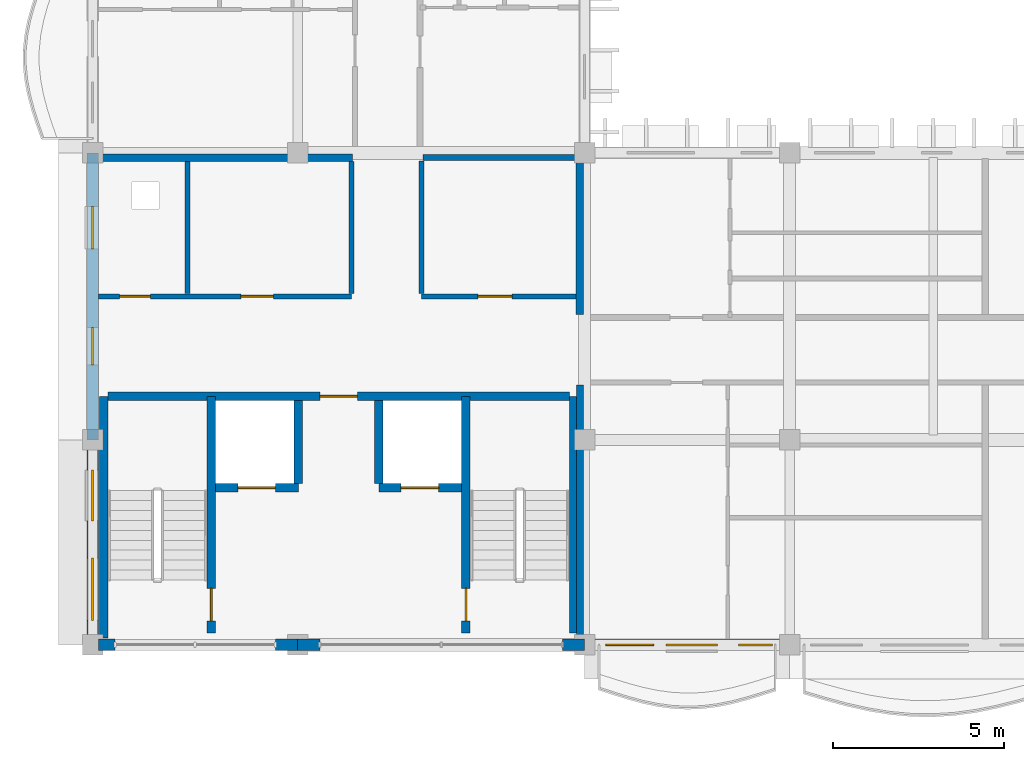
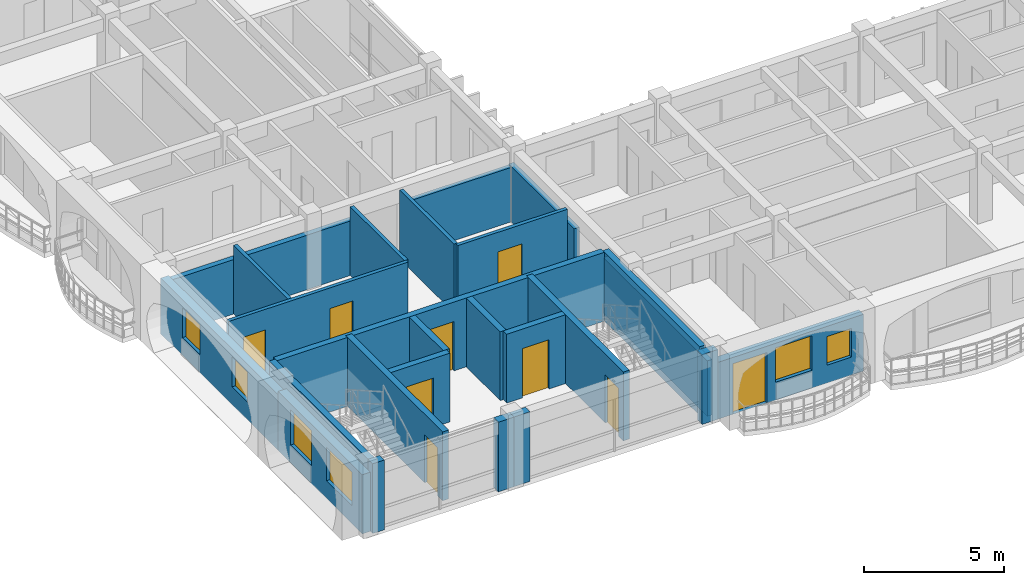
# One storey, part 25 of 79: 25 walls, 9 doors, 6 windows, 15 openings.
"""IFC4 building model written with IfcOpenShell, lengths in metres."""

from ifc_helpers import new_model, si_unit, direction, frame, frame_2d, origin, place, context, subcontext, project, spatial, rectangle, extrude, material, layer, layer_set, type_object, element, fill, save


model = new_model("IFC4")

# Units and contexts
model_context = context("Model", 3, precision=1e-05, world=origin(), true_north=direction((0.0, 1.0)))
body_context = subcontext(model_context, "Body", "Model", "MODEL_VIEW")
ifc_project = project(units=[si_unit("LENGTHUNIT", "METRE"), si_unit("AREAUNIT", "SQUARE_METRE"), si_unit("VOLUMEUNIT", "CUBIC_METRE"), si_unit("PLANEANGLEUNIT", "RADIAN"), si_unit("MASSUNIT", "GRAM", prefix="KILO"), si_unit("THERMODYNAMICTEMPERATUREUNIT", "KELVIN")], contexts=[model_context])

# Site, building, storey
site_placement = place(None, origin())
site = spatial("IfcSite", under=ifc_project, at=site_placement, CompositionType="ELEMENT")
building_placement = place(site_placement, origin())
building = spatial("IfcBuilding", under=site, at=building_placement, Name="Thalorik Housing Commons", CompositionType="ELEMENT")
storey_placement = place(building_placement, frame((0.0, 0.0, 11.39990234375)))
storey = spatial("IfcBuildingStorey", under=building, at=storey_placement, Name="L03", CompositionType="ELEMENT", Elevation=11.39990234375)

# Wall, opening, door
ifc_material_1 = material(Name="Concrete C40/50", Category="concrete")
ifc_layer_1 = layer(ifc_material_1, 0.25, Name="Concrete C40/50", Category="concrete")
ifc_layer_set_1 = layer_set([ifc_layer_1], Name="Concrete C40/50")
wall_type_1 = type_object("IfcWallType", Name="ARC-WAL-CORE-250", PredefinedType="SHEAR", material=ifc_layer_set_1)
wall_1_placement = place(storey_placement, frame((11.875, 8.75, 0.0), z_axis=(0.0, 0.0, 1.0), x_axis=(0.0, 1.0, 0.0)))
wall_1 = element("IfcWall", 1, at=wall_1_placement, inside=storey, type_object=wall_type_1, Name="L03 Core C Stair 1 Shear Wall", PredefinedType="SHEAR", context=body_context, shape_type="SweptSolid", body=[
    extrude(rectangle(XDim=6.925048828125, YDim=0.25, at=frame_2d((3.46240234375, 0.0))), origin(), (0.0, 0.0, 1.0), 3.0),
])
opening_1_placement = place(wall_1_placement, frame((0.35009765625, 0.0, 0.0)))
opening_1 = element("IfcOpeningElement", 2, at=opening_1_placement, cuts=wall_1, Name="Opening ID-0281", PredefinedType="OPENING", context=body_context, shape_type="SweptSolid", body=[
    extrude(rectangle(XDim=0.949951171875, YDim=2.10009765625, at=frame_2d((0.47509765625, 1.050048828125))), frame((0.0, 0.135009765625, 0.0), z_axis=(0.0, -1.0, 0.0), x_axis=(1.0, 0.0, 0.0)), (0.0, 0.0, 1.0), 0.27001953125),
])
ifc_material_2 = material(Name="Steel S355", Category="steel")
door_type_1 = type_object("IfcDoorType", Name="ARC-DR-FD60-950", OperationType="NOTDEFINED", PredefinedType="DOOR", material=ifc_material_2)
door_1_placement = place(opening_1_placement, origin())
door_1 = element("IfcDoor", 3, at=door_1_placement, inside=storey, type_object=door_type_1, Name="L03 Stair ST-C1 Fire Door", OperationType="SINGLE_SWING_RIGHT", OverallHeight=2.10009765625, OverallWidth=0.949951171875, PredefinedType="DOOR", context=body_context, shape_type="SweptSolid", body=[
    extrude(rectangle(XDim=0.949951171875, YDim=2.10009765625, at=frame_2d((0.47509765625, 1.050048828125))), frame((0.0, 0.02490234375, 0.0), z_axis=(0.0, -1.0, 0.0), x_axis=(1.0, 0.0, 0.0)), (0.0, 0.0, 1.0), 0.050048828125),
])
fill(opening_1, door_1)

# Walls
wall_2_placement = place(storey_placement, frame((8.72509765625, 8.60009765625, 0.0), z_axis=(0.0, 0.0, 1.0), x_axis=(0.0, 1.0, 0.0)))
element("IfcWall", 4, at=wall_2_placement, inside=storey, type_object=wall_type_1, Name="L03 Core C Stair 1 Outer Shear Wall", PredefinedType="SHEAR", context=body_context, shape_type="SweptSolid", body=[
    extrude(rectangle(XDim=7.074951171875, YDim=0.25, at=frame_2d((3.53759765625, 0.0))), origin(), (0.0, 0.0, 1.0), 3.0),
])
wall_3_placement = place(storey_placement, frame((22.47509765625, 8.75, 0.0), z_axis=(0.0, 0.0, 1.0), x_axis=(0.0, 1.0, 0.0)))
element("IfcWall", 5, at=wall_3_placement, inside=storey, type_object=wall_type_1, Name="L03 Core C Stair 2 Outer Shear Wall", PredefinedType="SHEAR", context=body_context, shape_type="SweptSolid", body=[
    extrude(rectangle(XDim=6.925048828125, YDim=0.25, at=frame_2d((3.46240234375, 0.0))), origin(), (0.0, 0.0, 1.0), 3.0),
])

# Wall, opening, door
wall_4_placement = place(storey_placement, frame((19.324951171875, 8.75, 0.0), z_axis=(0.0, 0.0, 1.0), x_axis=(0.0, 1.0, 0.0)))
wall_4 = element("IfcWall", 6, at=wall_4_placement, inside=storey, type_object=wall_type_1, Name="L03 Core C Stair 2 Shear Wall", PredefinedType="SHEAR", context=body_context, shape_type="SweptSolid", body=[
    extrude(rectangle(XDim=6.925048828125, YDim=0.25, at=frame_2d((3.46240234375, 0.0))), origin(), (0.0, 0.0, 1.0), 3.0),
])
opening_2_placement = place(wall_4_placement, frame((0.35009765625, 0.0, 0.0)))
opening_2 = element("IfcOpeningElement", 7, at=opening_2_placement, cuts=wall_4, Name="Opening ID-0282", PredefinedType="OPENING", context=body_context, shape_type="SweptSolid", body=[
    extrude(rectangle(XDim=0.949951171875, YDim=2.10009765625, at=frame_2d((0.47509765625, 1.050048828125))), frame((0.0, 0.135009765625, 0.0), z_axis=(0.0, -1.0, 0.0), x_axis=(1.0, 0.0, 0.0)), (0.0, 0.0, 1.0), 0.27001953125),
])
door_2_placement = place(opening_2_placement, origin())
door_2 = element("IfcDoor", 8, at=door_2_placement, inside=storey, type_object=door_type_1, Name="L03 Stair ST-C2 Fire Door", OperationType="SINGLE_SWING_LEFT", OverallHeight=2.10009765625, OverallWidth=0.949951171875, PredefinedType="DOOR", context=body_context, shape_type="SweptSolid", body=[
    extrude(rectangle(XDim=0.949951171875, YDim=2.10009765625, at=frame_2d((0.47509765625, 1.050048828125))), frame((0.0, 0.02490234375, 0.0), z_axis=(0.0, -1.0, 0.0), x_axis=(1.0, 0.0, 0.0)), (0.0, 0.0, 1.0), 0.050048828125),
])
fill(opening_2, door_2)

wall_5_placement = place(storey_placement, frame((12.0, 13.0, 0.0), z_axis=(0.0, 0.0, 1.0), x_axis=(1.0, 0.0, 0.0)))
wall_5 = element("IfcWall", 9, at=wall_5_placement, inside=storey, type_object=wall_type_1, Name="L03 Lift LF-C1 Front Shaft Wall", PredefinedType="SHEAR", context=body_context, shape_type="SweptSolid", body=[
    extrude(rectangle(XDim=2.425048828125, YDim=0.25, at=frame_2d((1.21240234375, 0.0))), origin(), (0.0, 0.0, 1.0), 3.0),
])
opening_3_placement = place(wall_5_placement, frame((0.64990234375, 0.0, 0.0)))
opening_3 = element("IfcOpeningElement", 10, at=opening_3_placement, cuts=wall_5, Name="Opening LD-LF-C1-L03", PredefinedType="OPENING", context=body_context, shape_type="SweptSolid", body=[
    extrude(rectangle(XDim=1.10009765625, YDim=2.14990234375, at=frame_2d((0.550048828125, 1.074951171875))), frame((0.0, 0.135009765625, 0.0), z_axis=(0.0, -1.0, 0.0), x_axis=(1.0, 0.0, 0.0)), (0.0, 0.0, 1.0), 0.27001953125),
])
door_type_2 = type_object("IfcDoorType", Name="ARC-DR-LIFT-1100", OperationType="NOTDEFINED", PredefinedType="DOOR", material=ifc_material_2)
door_3_placement = place(opening_3_placement, origin())
door_3 = element("IfcDoor", 11, at=door_3_placement, inside=storey, type_object=door_type_2, Name="L03 Lift LF-C1 Landing Door", OperationType="SLIDING_TO_LEFT", OverallHeight=2.14990234375, OverallWidth=1.10009765625, PredefinedType="DOOR", context=body_context, shape_type="SweptSolid", body=[
    extrude(rectangle(XDim=1.10009765625, YDim=2.14990234375, at=frame_2d((0.550048828125, 1.074951171875))), frame((0.0, 0.02490234375, 0.0), z_axis=(0.0, -1.0, 0.0), x_axis=(1.0, 0.0, 0.0)), (0.0, 0.0, 1.0), 0.050048828125),
])
fill(opening_3, door_3)

wall_6_placement = place(storey_placement, frame((16.77490234375, 13.0, 0.0), z_axis=(0.0, 0.0, 1.0), x_axis=(1.0, 0.0, 0.0)))
wall_6 = element("IfcWall", 12, at=wall_6_placement, inside=storey, type_object=wall_type_1, Name="L03 Lift LP-C2 Front Shaft Wall", PredefinedType="SHEAR", context=body_context, shape_type="SweptSolid", body=[
    extrude(rectangle(XDim=2.425048828125, YDim=0.25, at=frame_2d((1.21240234375, 0.0))), origin(), (0.0, 0.0, 1.0), 3.0),
])
opening_4_placement = place(wall_6_placement, frame((0.64990234375, 0.0, 0.0)))
opening_4 = element("IfcOpeningElement", 13, at=opening_4_placement, cuts=wall_6, Name="Opening LD-LP-C2-L03", PredefinedType="OPENING", context=body_context, shape_type="SweptSolid", body=[
    extrude(rectangle(XDim=1.10009765625, YDim=2.14990234375, at=frame_2d((0.550048828125, 1.074951171875))), frame((0.0, 0.135009765625, 0.0), z_axis=(0.0, -1.0, 0.0), x_axis=(1.0, 0.0, 0.0)), (0.0, 0.0, 1.0), 0.27001953125),
])
door_4_placement = place(opening_4_placement, origin())
door_4 = element("IfcDoor", 14, at=door_4_placement, inside=storey, type_object=door_type_2, Name="L03 Lift LP-C2 Landing Door", OperationType="SLIDING_TO_LEFT", OverallHeight=2.14990234375, OverallWidth=1.10009765625, PredefinedType="DOOR", context=body_context, shape_type="SweptSolid", body=[
    extrude(rectangle(XDim=1.10009765625, YDim=2.14990234375, at=frame_2d((0.550048828125, 1.074951171875))), frame((0.0, 0.02490234375, 0.0), z_axis=(0.0, -1.0, 0.0), x_axis=(1.0, 0.0, 0.0)), (0.0, 0.0, 1.0), 0.050048828125),
])
fill(opening_4, door_4)

# Walls
for number, where, z_axis, x_axis, name in (
    (15, (14.425048828125, 13.125, 0.0), (0.0, 0.0, 1.0), (0.0, 1.0, 0.0), "L03 Lift 1 Cheek Wall"),
    (16, (16.77490234375, 13.125, 0.0), (0.0, 0.0, 1.0), (0.0, 1.0, 0.0), "L03 Lift 2 Cheek Wall"),
):
    element("IfcWall", number, at=place(storey_placement, frame(where, z_axis=z_axis, x_axis=x_axis)), inside=storey, type_object=wall_type_1, Name=name, PredefinedType="SHEAR", context=body_context, shape_type="SweptSolid", body=[
        extrude(rectangle(XDim=2.425048828125, YDim=0.25, at=frame_2d((1.21240234375, 0.0))), origin(), (0.0, 0.0, 1.0), 3.0),
    ])

# Wall, opening, door
wall_7_placement = place(storey_placement, frame((8.85009765625, 15.675048828125, 0.0), z_axis=(0.0, 0.0, 1.0), x_axis=(1.0, 0.0, 0.0)))
wall_7 = element("IfcWall", 17, at=wall_7_placement, inside=storey, type_object=wall_type_1, Name="L03 Core C Spine Shear Wall", PredefinedType="SHEAR", context=body_context, shape_type="SweptSolid", body=[
    extrude(rectangle(XDim=13.5, YDim=0.25, at=frame_2d((6.75, 0.0))), origin(), (0.0, 0.0, 1.0), 3.0),
])
opening_5_placement = place(wall_7_placement, frame((6.199951171875, 0.0, 0.0)))
opening_5 = element("IfcOpeningElement", 18, at=opening_5_placement, cuts=wall_7, Name="Opening ID-0285", PredefinedType="OPENING", context=body_context, shape_type="SweptSolid", body=[
    extrude(rectangle(XDim=1.10009765625, YDim=2.14990234375, at=frame_2d((0.550048828125, 1.074951171875))), frame((0.0, 0.135009765625, 0.0), z_axis=(0.0, -1.0, 0.0), x_axis=(1.0, 0.0, 0.0)), (0.0, 0.0, 1.0), 0.27001953125),
])
door_type_3 = type_object("IfcDoorType", Name="ARC-DR-FD60-1100", OperationType="NOTDEFINED", PredefinedType="DOOR", material=ifc_material_2)
door_5_placement = place(opening_5_placement, origin())
door_5 = element("IfcDoor", 19, at=door_5_placement, inside=storey, type_object=door_type_3, Name="L03 Core C Lobby Fire Door", OperationType="SINGLE_SWING_RIGHT", OverallHeight=2.14990234375, OverallWidth=1.10009765625, PredefinedType="DOOR", context=body_context, shape_type="SweptSolid", body=[
    extrude(rectangle(XDim=1.10009765625, YDim=2.14990234375, at=frame_2d((0.550048828125, 1.074951171875))), frame((0.0, 0.02490234375, 0.0), z_axis=(0.0, -1.0, 0.0), x_axis=(1.0, 0.0, 0.0)), (0.0, 0.0, 1.0), 0.050048828125),
])
fill(opening_5, door_5)

# Wall, openings, windows
ifc_material_3 = material(Name="White precast concrete C40/50", Category="concrete")
ifc_layer_2 = layer(ifc_material_3, 0.3349609375, Name="White precast concrete C40/50", Category="concrete")
ifc_layer_set_2 = layer_set([ifc_layer_2], Name="White precast concrete C40/50")
wall_type_2 = type_object("IfcWallType", Name="ARC-WAL-EXT-335", PredefinedType="STANDARD", material=ifc_layer_set_2)
wall_8_placement = place(storey_placement, frame((8.39990234375, 22.800048828125, 0.0), z_axis=(0.0, 0.0, 1.0), x_axis=(0.0, -1.0, 0.0)))
wall_8 = element("IfcWall", 20, at=wall_8_placement, inside=storey, type_object=wall_type_2, Name="L03 Exterior Wall WAL-EXT-L03-C-0917", PredefinedType="STANDARD", context=body_context, shape_type="SweptSolid", body=[
    extrude(rectangle(XDim=8.400146484375, YDim=0.3349609375, at=frame_2d((4.2001953125, 0.0))), origin(), (0.0, 0.0, 1.0), 2.425048828125),
])
opening_6_placement = place(wall_8_placement, frame((1.570068359375, 0.0, 0.780029296875)))
opening_6 = element("IfcOpeningElement", 21, at=opening_6_placement, cuts=wall_8, Name="Opening W-46", PredefinedType="OPENING", context=body_context, shape_type="SweptSolid", body=[
    extrude(rectangle(XDim=1.25, YDim=1.300048828125, at=frame_2d((0.625, 0.64990234375))), frame((0.0, 0.177490234375, 0.0), z_axis=(0.0, -1.0, 0.0), x_axis=(1.0, 0.0, 0.0)), (0.0, 0.0, 1.0), 0.35498046875),
])
opening_7_placement = place(wall_8_placement, frame((5.112548828125, 0.0, 0.780029296875)))
opening_7 = element("IfcOpeningElement", 22, at=opening_7_placement, cuts=wall_8, Name="Opening W-03", PredefinedType="OPENING", context=body_context, shape_type="SweptSolid", body=[
    extrude(rectangle(XDim=1.10009765625, YDim=1.300048828125, at=frame_2d((0.550048828125, 0.64990234375))), frame((0.0, 0.177490234375, 0.0), z_axis=(0.0, -1.0, 0.0), x_axis=(1.0, 0.0, 0.0)), (0.0, 0.0, 1.0), 0.35498046875),
])
ifc_material_4 = material(Name="Anodised aluminium and solar-control low-E glass", Category="aluminium")
window_type_1 = type_object("IfcWindowType", Name="ARC-WIN-03", PartitioningType="SINGLE_PANEL", PredefinedType="WINDOW", material=ifc_material_4)
window_1_placement = place(opening_7_placement, origin())
window_1 = element("IfcWindow", 23, at=window_1_placement, inside=storey, type_object=window_type_1, Name="L03 Facade Window 1697", OverallHeight=1.300048828125, OverallWidth=1.10009765625, PartitioningType="SINGLE_PANEL", PredefinedType="WINDOW", context=body_context, shape_type="SweptSolid", body=[
    extrude(rectangle(XDim=1.10009765625, YDim=1.300048828125, at=frame_2d((0.550048828125, 0.64990234375))), frame((0.0, 0.030029296875, 0.0), z_axis=(0.0, -1.0, 0.0), x_axis=(1.0, 0.0, 0.0)), (0.0, 0.0, 1.0), 0.06005859375),
])
fill(opening_7, window_1)
window_type_2 = type_object("IfcWindowType", Name="ARC-WIN-46", PartitioningType="SINGLE_PANEL", PredefinedType="WINDOW", material=ifc_material_4)
window_2_placement = place(opening_6_placement, origin())
window_2 = element("IfcWindow", 24, at=window_2_placement, inside=storey, type_object=window_type_2, Name="L03 Facade Window 1696", OverallHeight=1.300048828125, OverallWidth=1.25, PartitioningType="SINGLE_PANEL", PredefinedType="WINDOW", context=body_context, shape_type="SweptSolid", body=[
    extrude(rectangle(XDim=1.25, YDim=1.300048828125, at=frame_2d((0.625, 0.64990234375))), frame((0.0, 0.030029296875, 0.0), z_axis=(0.0, -1.0, 0.0), x_axis=(1.0, 0.0, 0.0)), (0.0, 0.0, 1.0), 0.06005859375),
])
fill(opening_6, window_2)

wall_9_placement = place(storey_placement, frame((8.39990234375, 14.39990234375, 0.0), z_axis=(0.0, 0.0, 1.0), x_axis=(0.0, -1.0, 0.0)))
wall_9 = element("IfcWall", 25, at=wall_9_placement, inside=storey, type_object=wall_type_2, Name="L03 Exterior Wall WAL-EXT-L03-C-0918", PredefinedType="STANDARD", context=body_context, shape_type="SweptSolid", body=[
    extrude(rectangle(XDim=6.0, YDim=0.3349609375, at=frame_2d((3.0, 0.0))), origin(), (0.0, 0.0, 1.0), 2.5751953125),
])
opening_8_placement = place(wall_9_placement, frame((0.889892578125, 0.0, 0.780029296875)))
opening_8 = element("IfcOpeningElement", 26, at=opening_8_placement, cuts=wall_9, Name="Opening W-51", PredefinedType="OPENING", context=body_context, shape_type="SweptSolid", body=[
    extrude(rectangle(XDim=1.47998046875, YDim=1.52001953125, at=frame_2d((0.739990234375, 0.760009765625))), frame((0.0, 0.177490234375, 0.0), z_axis=(0.0, -1.0, 0.0), x_axis=(1.0, 0.0, 0.0)), (0.0, 0.0, 1.0), 0.35498046875),
])
opening_9_placement = place(wall_9_placement, frame((3.4599609375, 0.0, 0.780029296875)))
opening_9 = element("IfcOpeningElement", 27, at=opening_9_placement, cuts=wall_9, Name="Opening W-58", PredefinedType="OPENING", context=body_context, shape_type="SweptSolid", body=[
    extrude(rectangle(XDim=1.820068359375, YDim=1.4599609375, at=frame_2d((0.91015625, 0.72998046875))), frame((0.0, 0.177490234375, 0.0), z_axis=(0.0, -1.0, 0.0), x_axis=(1.0, 0.0, 0.0)), (0.0, 0.0, 1.0), 0.35498046875),
])
window_type_3 = type_object("IfcWindowType", Name="ARC-WIN-51", PartitioningType="SINGLE_PANEL", PredefinedType="WINDOW", material=ifc_material_4)
window_3_placement = place(opening_8_placement, origin())
window_3 = element("IfcWindow", 28, at=window_3_placement, inside=storey, type_object=window_type_3, Name="L03 Facade Window 1698", OverallHeight=1.52001953125, OverallWidth=1.47998046875, PartitioningType="SINGLE_PANEL", PredefinedType="WINDOW", context=body_context, shape_type="SweptSolid", body=[
    extrude(rectangle(XDim=1.47998046875, YDim=1.52001953125, at=frame_2d((0.739990234375, 0.760009765625))), frame((0.0, 0.030029296875, 0.0), z_axis=(0.0, -1.0, 0.0), x_axis=(1.0, 0.0, 0.0)), (0.0, 0.0, 1.0), 0.06005859375),
])
fill(opening_8, window_3)
window_type_4 = type_object("IfcWindowType", Name="ARC-WIN-58", PartitioningType="DOUBLE_PANEL_VERTICAL", PredefinedType="WINDOW", material=ifc_material_4)
window_4_placement = place(opening_9_placement, origin())
window_4 = element("IfcWindow", 29, at=window_4_placement, inside=storey, type_object=window_type_4, Name="L03 Facade Window 1699", OverallHeight=1.4599609375, OverallWidth=1.820068359375, PartitioningType="DOUBLE_PANEL_VERTICAL", PredefinedType="WINDOW", context=body_context, shape_type="SweptSolid", body=[
    extrude(rectangle(XDim=1.820068359375, YDim=1.4599609375, at=frame_2d((0.91015625, 0.72998046875))), frame((0.0, 0.030029296875, 0.0), z_axis=(0.0, -1.0, 0.0), x_axis=(1.0, 0.0, 0.0)), (0.0, 0.0, 1.0), 0.06005859375),
])
fill(opening_9, window_4)

# Walls
wall_10_placement = place(storey_placement, frame((8.569580078125, 8.39990234375, 0.0), z_axis=(0.0, 0.0, 1.0), x_axis=(1.0, 0.0, 0.0)))
element("IfcWall", 30, at=wall_10_placement, inside=storey, type_object=wall_type_2, Name="L03 Exterior Wall WAL-PIERL-L03-C-0919", PredefinedType="STANDARD", context=body_context, shape_type="SweptSolid", body=[
    extrude(rectangle(XDim=0.48046875, YDim=0.3349609375, at=frame_2d((0.240234375, 0.0))), origin(), (0.0, 0.0, 1.0), 3.0400390625),
])
wall_11_placement = place(storey_placement, frame((13.75, 8.39990234375, 0.0), z_axis=(0.0, 0.0, 1.0), x_axis=(1.0, 0.0, 0.0)))
element("IfcWall", 31, at=wall_11_placement, inside=storey, type_object=wall_type_2, Name="L03 Exterior Wall WAL-PIERR-L03-C-0919", PredefinedType="STANDARD", context=body_context, shape_type="SweptSolid", body=[
    extrude(rectangle(XDim=0.64990234375, YDim=0.3349609375, at=frame_2d((0.324951171875, 0.0))), origin(), (0.0, 0.0, 1.0), 3.0400390625),
])
for number, where, z_axis, x_axis, name in (
    (32, (14.39990234375, 8.39990234375, 0.0), (0.0, 0.0, 1.0), (1.0, 0.0, 0.0), "L03 Exterior Wall WAL-PIERL-L03-C-0920"),
    (33, (22.14990234375, 8.39990234375, 0.0), (0.0, 0.0, 1.0), (1.0, 0.0, 0.0), "L03 Exterior Wall WAL-PIERR-L03-C-0920"),
):
    element("IfcWall", number, at=place(storey_placement, frame(where, z_axis=z_axis, x_axis=x_axis)), inside=storey, type_object=wall_type_2, Name=name, PredefinedType="STANDARD", context=body_context, shape_type="SweptSolid", body=[
        extrude(rectangle(XDim=0.650146484375, YDim=0.3349609375, at=frame_2d((0.3251953125, 0.0))), origin(), (0.0, 0.0, 1.0), 3.0400390625),
    ])

# Wall, openings, door, windows
wall_12_placement = place(storey_placement, frame((22.800048828125, 8.39990234375, 0.0), z_axis=(0.0, 0.0, 1.0), x_axis=(1.0, 0.0, 0.0)))
wall_12 = element("IfcWall", 34, at=wall_12_placement, inside=storey, type_object=wall_type_2, Name="L03 Exterior Wall WAL-EXT-L03-C-0921", PredefinedType="STANDARD", context=body_context, shape_type="SweptSolid", body=[
    extrude(rectangle(XDim=6.0, YDim=0.3349609375, at=frame_2d((3.0, 0.0))), origin(), (0.0, 0.0, 1.0), 2.47509765625),
])
opening_10_placement = place(wall_12_placement, frame((0.6201171875, 0.0, 0.0)))
opening_10 = element("IfcOpeningElement", 35, at=opening_10_placement, cuts=wall_12, Name="Opening ED-0303", PredefinedType="OPENING", context=body_context, shape_type="SweptSolid", body=[
    extrude(rectangle(XDim=1.39990234375, YDim=2.199951171875, at=frame_2d((0.699951171875, 1.10009765625))), frame((0.0, 0.177490234375, 0.0), z_axis=(0.0, -1.0, 0.0), x_axis=(1.0, 0.0, 0.0)), (0.0, 0.0, 1.0), 0.35498046875),
])
opening_11_placement = place(wall_12_placement, frame((2.3798828125, 0.0, 0.780029296875)))
opening_11 = element("IfcOpeningElement", 36, at=opening_11_placement, cuts=wall_12, Name="Opening W-10", PredefinedType="OPENING", context=body_context, shape_type="SweptSolid", body=[
    extrude(rectangle(XDim=1.5, YDim=1.5, at=frame_2d((0.75, 0.75))), frame((0.0, 0.177490234375, 0.0), z_axis=(0.0, -1.0, 0.0), x_axis=(1.0, 0.0, 0.0)), (0.0, 0.0, 1.0), 0.35498046875),
])
opening_12_placement = place(wall_12_placement, frame((4.5, 0.0, 0.780029296875)))
opening_12 = element("IfcOpeningElement", 37, at=opening_12_placement, cuts=wall_12, Name="Opening W-02", PredefinedType="OPENING", context=body_context, shape_type="SweptSolid", body=[
    extrude(rectangle(XDim=1.0, YDim=1.25, at=frame_2d((0.5, 0.625))), frame((0.0, 0.177490234375, 0.0), z_axis=(0.0, -1.0, 0.0), x_axis=(1.0, 0.0, 0.0)), (0.0, 0.0, 1.0), 0.35498046875),
])
ifc_material_5 = material(Name="Anodised aluminium and laminated safety glass", Category="aluminium")
door_type_4 = type_object("IfcDoorType", Name="ARC-DR-BAL-1400", OperationType="NOTDEFINED", PredefinedType="DOOR", material=ifc_material_5)
door_6_placement = place(opening_10_placement, frame((1.39990234375, 0.0, 0.0), z_axis=(0.0, 0.0, 1.0), x_axis=(-1.0, 0.0, 0.0)))
door_6 = element("IfcDoor", 38, at=door_6_placement, inside=storey, type_object=door_type_4, Name="L03 Block C Balcony Glazed Door", OperationType="SLIDING_TO_LEFT", OverallHeight=2.199951171875, OverallWidth=1.39990234375, PredefinedType="DOOR", context=body_context, shape_type="SweptSolid", body=[
    extrude(rectangle(XDim=1.39990234375, YDim=2.199951171875, at=frame_2d((0.699951171875, 1.10009765625))), frame((0.0, 0.02490234375, 0.0), z_axis=(0.0, -1.0, 0.0), x_axis=(1.0, 0.0, 0.0)), (0.0, 0.0, 1.0), 0.050048828125),
])
fill(opening_10, door_6)
window_type_5 = type_object("IfcWindowType", Name="ARC-WIN-02", PartitioningType="SINGLE_PANEL", PredefinedType="WINDOW", material=ifc_material_4)
window_5_placement = place(opening_12_placement, origin())
window_5 = element("IfcWindow", 39, at=window_5_placement, inside=storey, type_object=window_type_5, Name="L03 Facade Window 1701", OverallHeight=1.25, OverallWidth=1.0, PartitioningType="SINGLE_PANEL", PredefinedType="WINDOW", context=body_context, shape_type="SweptSolid", body=[
    extrude(rectangle(XDim=1.0, YDim=1.25, at=frame_2d((0.5, 0.625))), frame((0.0, 0.030029296875, 0.0), z_axis=(0.0, -1.0, 0.0), x_axis=(1.0, 0.0, 0.0)), (0.0, 0.0, 1.0), 0.06005859375),
])
fill(opening_12, window_5)
window_type_6 = type_object("IfcWindowType", Name="ARC-WIN-10", PartitioningType="SINGLE_PANEL", PredefinedType="WINDOW", material=ifc_material_4)
window_6_placement = place(opening_11_placement, origin())
window_6 = element("IfcWindow", 40, at=window_6_placement, inside=storey, type_object=window_type_6, Name="L03 Facade Window 1700", OverallHeight=1.5, OverallWidth=1.5, PartitioningType="SINGLE_PANEL", PredefinedType="WINDOW", context=body_context, shape_type="SweptSolid", body=[
    extrude(rectangle(XDim=1.5, YDim=1.5, at=frame_2d((0.75, 0.75))), frame((0.0, 0.030029296875, 0.0), z_axis=(0.0, -1.0, 0.0), x_axis=(1.0, 0.0, 0.0)), (0.0, 0.0, 1.0), 0.06005859375),
])
fill(opening_11, window_6)

# Walls
ifc_material_6 = material(Name="Ceramic masonry partition wall", Category="masonry")
ifc_layer_3 = layer(ifc_material_6, 0.14794921875, Name="Ceramic masonry partition wall", Category="masonry")
ifc_layer_set_3 = layer_set([ifc_layer_3], Name="Ceramic masonry partition wall")
wall_type_3 = type_object("IfcWallType", Name="ARC-WAL-PART-150", PredefinedType="PARTITIONING", material=ifc_layer_set_3)
for number, where, z_axis, x_axis, name in (
    (41, (11.175048828125, 18.676025390625, 0.0), (0.0, 0.0, 1.0), (0.0, 1.0, 0.0), "Riser Wall"),
    (42, (15.97509765625, 18.676025390625, 0.0), (0.0, 0.0, 1.0), (0.0, 1.0, 0.0), "Core Stem West Cheek Wall"),
):
    element("IfcWall", number, at=place(storey_placement, frame(where, z_axis=z_axis, x_axis=x_axis)), inside=storey, type_object=wall_type_3, Name=name, PredefinedType="PARTITIONING", context=body_context, shape_type="SweptSolid", body=[
        extrude(rectangle(XDim=3.8720703125, YDim=0.14794921875, at=frame_2d((1.93603515625, 0.0))), origin(), (0.0, 0.0, 1.0), 3.0),
    ])
wall_13_placement = place(storey_placement, frame((18.02490234375, 18.676025390625, 0.0), z_axis=(0.0, 0.0, 1.0), x_axis=(0.0, 1.0, 0.0)))
element("IfcWall", 43, at=wall_13_placement, inside=storey, type_object=wall_type_3, Name="Core Stem East Cheek Wall", PredefinedType="PARTITIONING", context=body_context, shape_type="SweptSolid", body=[
    extrude(rectangle(XDim=3.889404296875, YDim=0.14794921875, at=frame_2d((1.94482421875, 0.0))), origin(), (0.0, 0.0, 1.0), 3.0),
])

# Wall, openings, doors
wall_14_placement = place(storey_placement, frame((8.569580078125, 18.60009765625, 0.0), z_axis=(0.0, 0.0, 1.0), x_axis=(1.0, 0.0, 0.0)))
wall_14 = element("IfcWall", 44, at=wall_14_placement, inside=storey, type_object=wall_type_3, Name="L03 Core C West Corridor Partition", PredefinedType="PARTITIONING", context=body_context, shape_type="SweptSolid", body=[
    extrude(rectangle(XDim=7.405517578125, YDim=0.14794921875, at=frame_2d((3.70263671875, 0.0))), origin(), (0.0, 0.0, 1.0), 3.0),
])
opening_13_placement = place(wall_14_placement, frame((0.62060546875, 0.0, 0.0)))
opening_13 = element("IfcOpeningElement", 45, at=opening_13_placement, cuts=wall_14, Name="Opening ID-0286", PredefinedType="OPENING", context=body_context, shape_type="SweptSolid", body=[
    extrude(rectangle(XDim=0.89990234375, YDim=2.10009765625, at=frame_2d((0.449951171875, 1.050048828125))), frame((0.0, 0.083984375, 0.0), z_axis=(0.0, -1.0, 0.0), x_axis=(1.0, 0.0, 0.0)), (0.0, 0.0, 1.0), 0.16796875),
])
opening_14_placement = place(wall_14_placement, frame((4.17041015625, 0.0, 0.0)))
opening_14 = element("IfcOpeningElement", 46, at=opening_14_placement, cuts=wall_14, Name="Opening ID-0287", PredefinedType="OPENING", context=body_context, shape_type="SweptSolid", body=[
    extrude(rectangle(XDim=0.949951171875, YDim=2.10009765625, at=frame_2d((0.47509765625, 1.050048828125))), frame((0.0, 0.083984375, 0.0), z_axis=(0.0, -1.0, 0.0), x_axis=(1.0, 0.0, 0.0)), (0.0, 0.0, 1.0), 0.16796875),
])
door_type_5 = type_object("IfcDoorType", Name="ARC-DR-FD60-900", OperationType="NOTDEFINED", PredefinedType="DOOR", material=ifc_material_2)
door_7_placement = place(opening_13_placement, origin())
door_7 = element("IfcDoor", 47, at=door_7_placement, inside=storey, type_object=door_type_5, Name="Electrical Riser Door", OperationType="SINGLE_SWING_LEFT", OverallHeight=2.10009765625, OverallWidth=0.89990234375, PredefinedType="DOOR", context=body_context, shape_type="SweptSolid", body=[
    extrude(rectangle(XDim=0.89990234375, YDim=2.10009765625, at=frame_2d((0.449951171875, 1.050048828125))), frame((0.0, 0.02490234375, 0.0), z_axis=(0.0, -1.0, 0.0), x_axis=(1.0, 0.0, 0.0)), (0.0, 0.0, 1.0), 0.050048828125),
])
fill(opening_13, door_7)
ifc_material_7 = material(Name="Engineered oak timber", Category="wood")
door_type_6 = type_object("IfcDoorType", Name="ARC-DR-INT-950", OperationType="NOTDEFINED", PredefinedType="DOOR", material=ifc_material_7)
door_8_placement = place(opening_14_placement, origin())
door_8 = element("IfcDoor", 48, at=door_8_placement, inside=storey, type_object=door_type_6, Name="Accessible Bathroom Door", OperationType="SINGLE_SWING_RIGHT", OverallHeight=2.10009765625, OverallWidth=0.949951171875, PredefinedType="DOOR", context=body_context, shape_type="SweptSolid", body=[
    extrude(rectangle(XDim=0.949951171875, YDim=2.10009765625, at=frame_2d((0.47509765625, 1.050048828125))), frame((0.0, 0.02490234375, 0.0), z_axis=(0.0, -1.0, 0.0), x_axis=(1.0, 0.0, 0.0)), (0.0, 0.0, 1.0), 0.050048828125),
])
fill(opening_14, door_8)

# Wall, opening, door
wall_15_placement = place(storey_placement, frame((18.02490234375, 18.60009765625, 0.0), z_axis=(0.0, 0.0, 1.0), x_axis=(1.0, 0.0, 0.0)))
wall_15 = element("IfcWall", 49, at=wall_15_placement, inside=storey, type_object=wall_type_3, Name="L03 Core C East Corridor Partition", PredefinedType="PARTITIONING", context=body_context, shape_type="SweptSolid", body=[
    extrude(rectangle(XDim=4.523193359375, YDim=0.14794921875, at=frame_2d((2.26171875, 0.0))), origin(), (0.0, 0.0, 1.0), 3.0),
])
opening_15_placement = place(wall_15_placement, frame((1.64990234375, 0.0, 0.0)))
opening_15 = element("IfcOpeningElement", 50, at=opening_15_placement, cuts=wall_15, Name="Opening ID-0288", PredefinedType="OPENING", context=body_context, shape_type="SweptSolid", body=[
    extrude(rectangle(XDim=1.0, YDim=2.14990234375, at=frame_2d((0.5, 1.074951171875))), frame((0.0, 0.083984375, 0.0), z_axis=(0.0, -1.0, 0.0), x_axis=(1.0, 0.0, 0.0)), (0.0, 0.0, 1.0), 0.16796875),
])
door_type_7 = type_object("IfcDoorType", Name="ARC-DR-FD60-1000", OperationType="NOTDEFINED", PredefinedType="DOOR", material=ifc_material_2)
door_9_placement = place(opening_15_placement, origin())
door_9 = element("IfcDoor", 51, at=door_9_placement, inside=storey, type_object=door_type_7, Name="Core Hub Room Door", OperationType="SINGLE_SWING_LEFT", OverallHeight=2.14990234375, OverallWidth=1.0, PredefinedType="DOOR", context=body_context, shape_type="SweptSolid", body=[
    extrude(rectangle(XDim=1.0, YDim=2.14990234375, at=frame_2d((0.5, 1.074951171875))), frame((0.0, 0.02490234375, 0.0), z_axis=(0.0, -1.0, 0.0), x_axis=(1.0, 0.0, 0.0)), (0.0, 0.0, 1.0), 0.050048828125),
])
fill(opening_15, door_9)

# Walls
ifc_material_8 = material(Name="Masonry acoustic blockwork wall", Category="masonry")
ifc_layer_4 = layer(ifc_material_8, 0.18505859375, Name="Masonry acoustic blockwork wall", Category="masonry")
ifc_layer_set_4 = layer_set([ifc_layer_4], Name="Masonry acoustic blockwork wall")
wall_type_4 = type_object("IfcWallType", Name="ARC-WAL-PARTY-185", PredefinedType="PARTITIONING", material=ifc_layer_set_4)
wall_16_placement = place(storey_placement, frame((18.064453125, 22.659912109375, 0.0), z_axis=(0.0, 0.0, 1.0), x_axis=(1.0, 0.0, 0.0)))
element("IfcWall", 52, at=wall_16_placement, inside=storey, type_object=wall_type_4, Name="L03 Inter-Tenancy Wall 0B", PredefinedType="PARTITIONING", context=body_context, shape_type="SweptSolid", body=[
    extrude(rectangle(XDim=4.483642578125, YDim=0.18505859375, at=frame_2d((2.24169921875, 0.0))), origin(), (0.0, 0.0, 1.0), 2.375),
])
ifc_material_9 = material(Name="Precast concrete C40/50 acoustic wall", Category="concrete")
ifc_layer_5 = layer(ifc_material_9, 0.199951171875, Name="Precast concrete C40/50 acoustic wall", Category="concrete")
ifc_layer_set_5 = layer_set([ifc_layer_5], Name="Precast concrete C40/50 acoustic wall")
wall_type_5 = type_object("IfcWallType", Name="ARC-WAL-PARTY-200", PredefinedType="PARTITIONING", material=ifc_layer_set_5)
wall_17_placement = place(storey_placement, frame((22.659912109375, 8.569580078125, 0.0), z_axis=(0.0, 0.0, 1.0), x_axis=(0.0, 1.0, 0.0)))
element("IfcWall", 53, at=wall_17_placement, inside=storey, type_object=wall_type_5, Name="L03 Inter-Tenancy Wall 0A", PredefinedType="PARTITIONING", context=body_context, shape_type="SweptSolid", body=[
    extrude(rectangle(XDim=7.433349609375, YDim=0.199951171875, at=frame_2d((3.716796875, 0.0))), origin(), (0.0, 0.0, 1.0), 2.425048828125),
])
ifc_layer_6 = layer(ifc_material_9, 0.219970703125, Name="Precast concrete C40/50 acoustic wall", Category="concrete")
ifc_layer_set_6 = layer_set([ifc_layer_6], Name="Precast concrete C40/50 acoustic wall")
wall_type_6 = type_object("IfcWallType", Name="ARC-WAL-PARTY-220", PredefinedType="PARTITIONING", material=ifc_layer_set_6)
wall_18_placement = place(storey_placement, frame((8.569580078125, 22.659912109375, 0.0), z_axis=(0.0, 0.0, 1.0), x_axis=(1.0, 0.0, 0.0)))
element("IfcWall", 54, at=wall_18_placement, inside=storey, type_object=wall_type_6, Name="L03 Inter-Tenancy Wall 0A", PredefinedType="PARTITIONING", context=body_context, shape_type="SweptSolid", body=[
    extrude(rectangle(XDim=7.433349609375, YDim=0.219970703125, at=frame_2d((3.716796875, 0.0))), origin(), (0.0, 0.0, 1.0), 2.375),
])
wall_19_placement = place(storey_placement, frame((22.659912109375, 18.064453125, 0.0), z_axis=(0.0, 0.0, 1.0), x_axis=(0.0, 1.0, 0.0)))
element("IfcWall", 55, at=wall_19_placement, inside=storey, type_object=wall_type_6, Name="L03 Inter-Tenancy Wall 0B", PredefinedType="PARTITIONING", context=body_context, shape_type="SweptSolid", body=[
    extrude(rectangle(XDim=4.675537109375, YDim=0.219970703125, at=frame_2d((2.337890625, 0.0))), origin(), (0.0, 0.0, 1.0), 2.425048828125),
])

save(model, "model.ifc")
